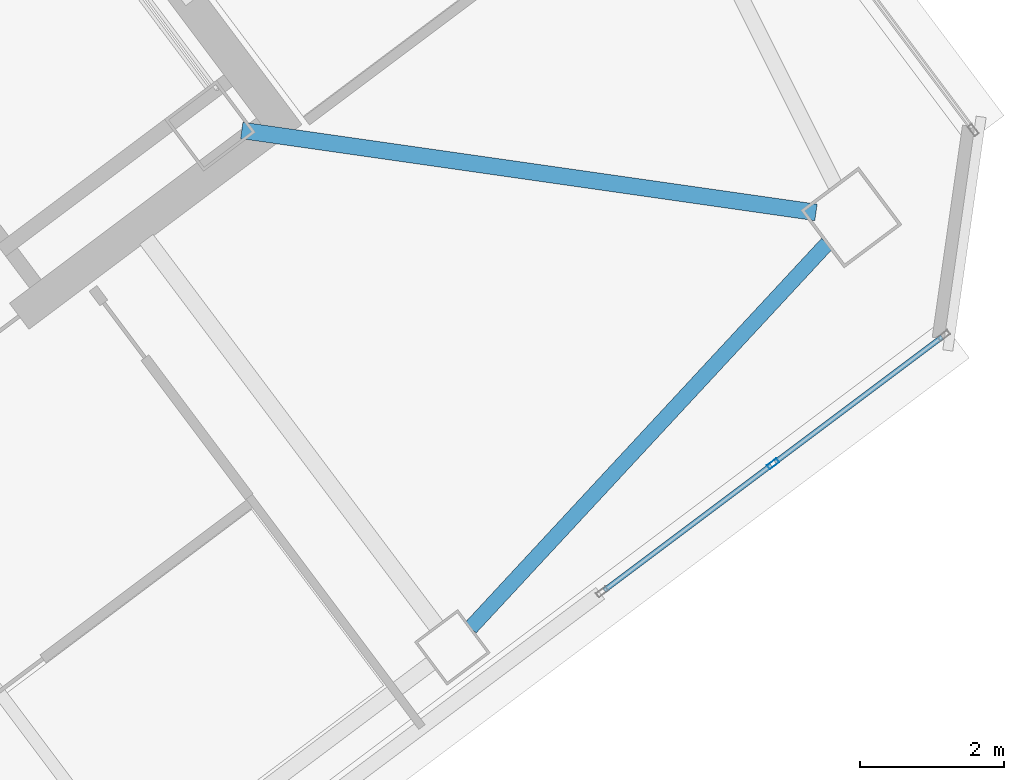
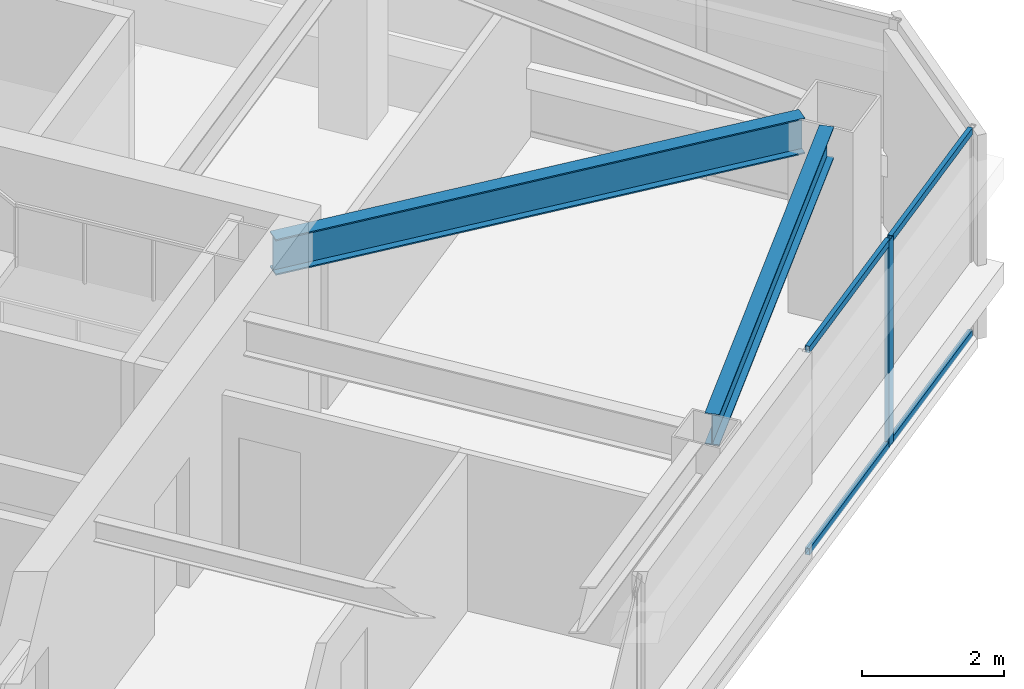
# One storey, part 26 of 44: 5 members, 2 beams, 1 element without a shape of its own.
"""IFC4 building model written with IfcOpenShell, lengths in metres."""

from ifc_helpers import new_model, si_unit, direction, frame, origin, origin_2d, place, context, subcontext, project, spatial, hollow_rectangle, i_section, extrude, material, material_profile, profile_set, type_object, element, aggregate, save


model = new_model("IFC4")

# Units and contexts
model_context = context("Model", 3, precision=1e-05, world=origin(), true_north=direction((0.0, 1.0)))
body_context = subcontext(model_context, "Body", "Model", "MODEL_VIEW")
ifc_project = project(units=[si_unit("LENGTHUNIT", "METRE"), si_unit("AREAUNIT", "SQUARE_METRE"), si_unit("VOLUMEUNIT", "CUBIC_METRE"), si_unit("PLANEANGLEUNIT", "RADIAN"), si_unit("MASSUNIT", "GRAM", prefix="KILO")], contexts=[model_context])

# Site, building, storey
site_placement = place(None, origin())
site = spatial("IfcSite", under=ifc_project, at=site_placement, CompositionType="ELEMENT")
building_placement = place(site_placement, origin())
building = spatial("IfcBuilding", under=site, at=building_placement, Name="Tashvorn Skyway Center", CompositionType="ELEMENT")
storey_placement = place(building_placement, frame((0.0, 0.0, 211.300048828125)))
storey = spatial("IfcBuildingStorey", under=building, at=storey_placement, Name="L57", CompositionType="ELEMENT", Elevation=211.300048828125)

# Beams
ifc_material_1 = material(Name="Steel ASTM A992 Grade 50", Category="steel")
ifc_material_profile_1 = material_profile(ifc_material_1, i_section(OverallWidth=0.22998046875, OverallDepth=0.616943359375, WebThickness=0.01318359375, FlangeThickness=0.022216796875, at=origin_2d()), Name="W24X94")
ifc_profile_set_1 = profile_set([ifc_material_profile_1], Name="Steel ASTM A992 Grade 50")
beam_type_1 = type_object("IfcBeamType", Name="BM-BEAM-W24X94", PredefinedType="BEAM", material=ifc_profile_set_1)
beam_1_placement = place(storey_placement, frame((132.27001953125, 29.389892578125, 3.0615234375), z_axis=(-0.989947064346, 0.141438360399, 0.0), x_axis=(-0.141438360399, -0.989947064346, 0.0)))
element("IfcBeam", 1, at=beam_1_placement, inside=storey, type_object=beam_type_1, Name="Tower 2 L57 Primary Floor Girder MC-SE", PredefinedType="BEAM", context=body_context, shape_type="SweptSolid", body=[
    extrude(i_section(OverallWidth=0.22998046875, OverallDepth=0.616943359375, WebThickness=0.01318359375, FlangeThickness=0.022216796875, at=origin_2d()), origin(), (0.0, 0.0, 1.0), 8.040283203125),
])
ifc_material_profile_2 = material_profile(ifc_material_1, i_section(OverallWidth=0.2109375, OverallDepth=0.5390625, WebThickness=0.01171875, FlangeThickness=0.018798828125, at=origin_2d()), Name="W21X73")
ifc_profile_set_2 = profile_set([ifc_material_profile_2], Name="Steel ASTM A992 Grade 50")
beam_type_2 = type_object("IfcBeamType", Name="BM-SPANDREL-W21X73", PredefinedType="SPANDREL", material=ifc_profile_set_2)
beam_2_placement = place(storey_placement, frame((127.481689453125, 23.63134765625, 3.100341796875), z_axis=(0.680182956622, 0.733042389989, 0.0), x_axis=(-0.733042389989, 0.680182956622, 0.0)))
element("IfcBeam", 2, at=beam_2_placement, inside=storey, type_object=beam_type_2, Name="Tower 2 L57 Spandrel Beam 03", PredefinedType="SPANDREL", context=body_context, shape_type="SweptSolid", body=[
    extrude(i_section(OverallWidth=0.2109375, OverallDepth=0.5390625, WebThickness=0.01171875, FlangeThickness=0.018798828125, at=origin_2d()), origin(), (0.0, 0.0, 1.0), 7.26513671875),
])

# Curtain wall, members
ifc_material_2 = material(Name="Thermally broken bronze-anodized aluminium 6063-T6", Category="aluminium")
curtain_wall_type = type_object("IfcCurtainWallType", Name="CW-CW-Z5", PredefinedType="NOTDEFINED", material=ifc_material_2)
curtain_wall_placement = place(storey_placement, origin())
curtain_wall = element("IfcCurtainWall", 3, at=curtain_wall_placement, inside=storey, type_object=curtain_wall_type, Name="Tower 2 L57 South Unitised Curtain Wall Glazing Group 1", PredefinedType="NOTDEFINED")
ifc_material_profile_3 = material_profile(ifc_material_2, hollow_rectangle(XDim=0.070068359375, YDim=0.1650390625, WallThickness=0.00390625, at=origin_2d()), Name="ALU-MULL-70x165")
ifc_profile_set_3 = profile_set([ifc_material_profile_3], Name="Thermally broken bronze-anodized aluminium 6063-T6")
member_type_1 = type_object("IfcMemberType", Name="CWM-CW-Z5", PredefinedType="MULLION", material=ifc_profile_set_3)
member_1_placement = place(storey_placement, frame((131.675537109375, 25.90673828125, 0.0), z_axis=(0.0, 0.0, 1.0), x_axis=(0.600002670604, -0.79999799704, 0.0)))
member_1 = element("IfcMember", 4, at=member_1_placement, type_object=member_type_1, Name="CW-Z5 mullion 2", PredefinedType="MULLION", context=body_context, shape_type="SweptSolid", body=[
    extrude(hollow_rectangle(XDim=0.070068359375, YDim=0.1650390625, WallThickness=0.00390625, at=origin_2d()), origin(), (0.0, 0.0, 1.0), 3.550048828125),
])
ifc_material_profile_4 = material_profile(ifc_material_2, hollow_rectangle(XDim=0.070068359375, YDim=0.114990234375, WallThickness=0.00390625, at=origin_2d()), Name="ALU-TRAN-70x115")
ifc_profile_set_4 = profile_set([ifc_material_profile_4], Name="Thermally broken bronze-anodized aluminium 6063-T6")
member_type_2 = type_object("IfcMemberType", Name="CWT-CW-Z5", PredefinedType="USERDEFINED", material=ifc_profile_set_4)
member_2_placement = place(storey_placement, frame((134.01611328125, 27.662109375, 0.034912109375), z_axis=(-0.8, -0.6, 0.0), x_axis=(0.6, -0.8, 0.0)))
member_2 = element("IfcMember", 5, at=member_2_placement, type_object=member_type_2, Name="CW-Z5 transom 1.1", ObjectType="TRANSOM", PredefinedType="USERDEFINED", context=body_context, shape_type="SweptSolid", body=[
    extrude(hollow_rectangle(XDim=0.070068359375, YDim=0.114990234375, WallThickness=0.00390625, at=origin_2d()), origin(), (0.0, 0.0, 1.0), 2.890625),
])
member_3_placement = place(storey_placement, frame((134.01611328125, 27.662109375, 3.514892578125), z_axis=(-0.8, -0.6, 0.0), x_axis=(0.6, -0.8, 0.0)))
member_3 = element("IfcMember", 6, at=member_3_placement, type_object=member_type_2, Name="CW-Z5 transom 1.2", ObjectType="TRANSOM", PredefinedType="USERDEFINED", context=body_context, shape_type="SweptSolid", body=[
    extrude(hollow_rectangle(XDim=0.070068359375, YDim=0.114990234375, WallThickness=0.00390625, at=origin_2d()), origin(), (0.0, 0.0, 1.0), 2.890625),
])
member_4_placement = place(storey_placement, frame((131.6474609375, 25.8857421875, 0.034912109375), z_axis=(-0.799969591513, -0.600040542509, 0.0), x_axis=(0.600040542509, -0.799969591513, 0.0)))
member_4 = element("IfcMember", 7, at=member_4_placement, type_object=member_type_2, Name="CW-Z5 transom 2.1", ObjectType="TRANSOM", PredefinedType="USERDEFINED", context=body_context, shape_type="SweptSolid", body=[
    extrude(hollow_rectangle(XDim=0.070068359375, YDim=0.114990234375, WallThickness=0.00390625, at=origin_2d()), origin(), (0.0, 0.0, 1.0), 2.890380859375),
])
member_5_placement = place(storey_placement, frame((131.6474609375, 25.8857421875, 3.514892578125), z_axis=(-0.799969591513, -0.600040542509, 0.0), x_axis=(0.600040542509, -0.799969591513, 0.0)))
member_5 = element("IfcMember", 8, at=member_5_placement, type_object=member_type_2, Name="CW-Z5 transom 2.2", ObjectType="TRANSOM", PredefinedType="USERDEFINED", context=body_context, shape_type="SweptSolid", body=[
    extrude(hollow_rectangle(XDim=0.070068359375, YDim=0.114990234375, WallThickness=0.00390625, at=origin_2d()), origin(), (0.0, 0.0, 1.0), 2.890380859375),
])
aggregate(curtain_wall, [member_1, member_2, member_3, member_4, member_5])

save(model, "model.ifc")
